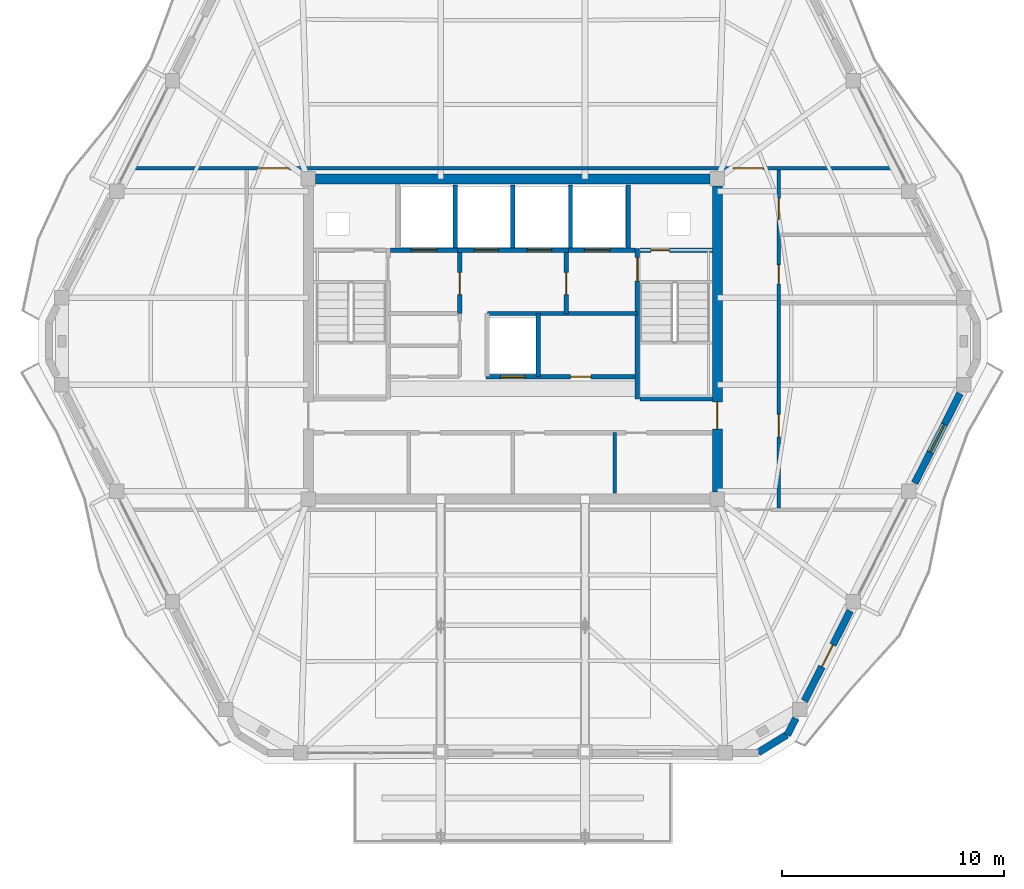
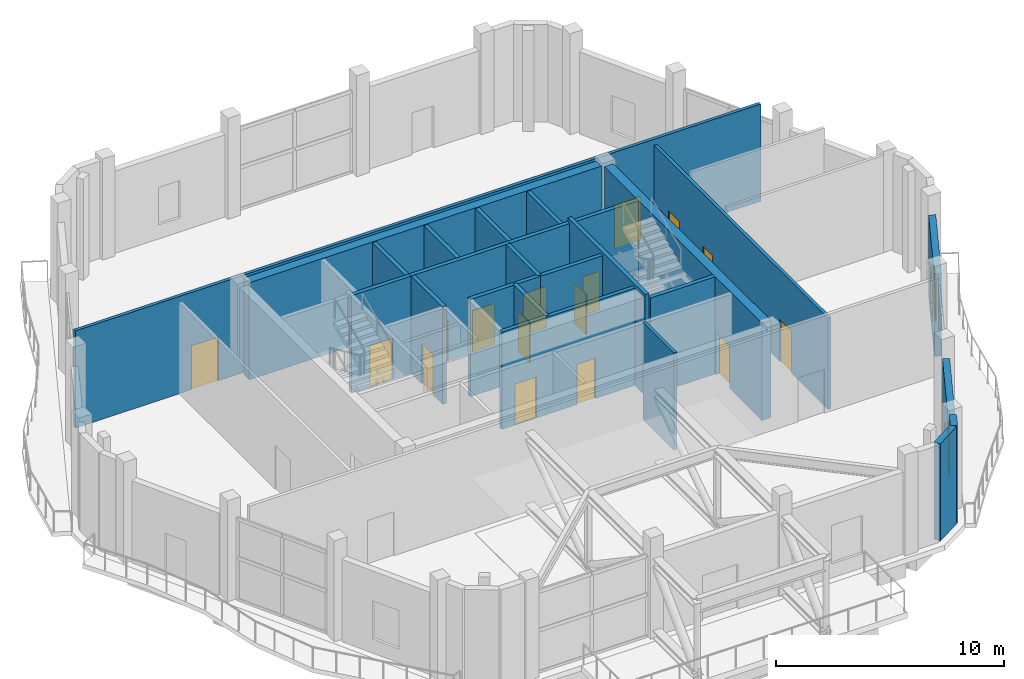
# One storey, part 19 of 23: 25 walls, 17 doors, 1 window, 18 openings.
"""IFC4 building model written with IfcOpenShell, lengths in metres."""

from ifc_helpers import new_model, si_unit, direction, frame, frame_2d, origin, place, context, subcontext, project, spatial, rectangle, extrude, material, layer, layer_set, type_object, element, fill, save


model = new_model("IFC4")

# Units and contexts
model_context = context("Model", 3, precision=1e-05, world=origin(), true_north=direction((0.0, 1.0)))
body_context = subcontext(model_context, "Body", "Model", "MODEL_VIEW")
ifc_project = project(units=[si_unit("LENGTHUNIT", "METRE"), si_unit("AREAUNIT", "SQUARE_METRE"), si_unit("VOLUMEUNIT", "CUBIC_METRE"), si_unit("PLANEANGLEUNIT", "RADIAN"), si_unit("MASSUNIT", "GRAM", prefix="KILO")], contexts=[model_context])

# Site, building, storey
site_placement = place(None, origin())
site = spatial("IfcSite", under=ifc_project, at=site_placement, CompositionType="ELEMENT")
building_placement = place(site_placement, origin())
building = spatial("IfcBuilding", under=site, at=building_placement, Name="Cinnabar Lancet Tower", CompositionType="ELEMENT")
storey_placement = place(building_placement, frame((0.0, 0.0, 278.10009765625)))
storey = spatial("IfcBuildingStorey", under=building, at=storey_placement, Name="L74", CompositionType="ELEMENT", Elevation=278.10009765625)

# Wall
ifc_material_1 = material(Name="Acoustic twin-stud gypsum partition", Category="gypsum")
ifc_layer_1 = layer(ifc_material_1, 0.159912109375)
ifc_layer_set_1 = layer_set([ifc_layer_1], Name="Acoustic twin-stud gypsum partition")
wall_type_1 = type_object("IfcWallType", Name="ARC-WL-CORR-160", PredefinedType="PARTITIONING", material=ifc_layer_set_1)
wall_1_placement = place(storey_placement, frame((37.0, 18.949951171875, 0.0), z_axis=(0.0, 0.0, 1.0), x_axis=(0.0, 1.0, 0.0)))
element("IfcWall", 1, at=wall_1_placement, inside=storey, type_object=wall_type_1, Name="CW-SB-3700-L74", PredefinedType="PARTITIONING", context=body_context, shape_type="SweptSolid", body=[
    extrude(rectangle(XDim=2.72998046875, YDim=0.159912109375, at=frame_2d((1.364990234375, 0.0))), origin(), (0.0, 0.0, 1.0), 5.199951171875),
])

# Wall, openings, doors
wall_2_placement = place(storey_placement, frame((44.39990234375, 18.284912109375, 0.0), z_axis=(0.0, 0.0, 1.0), x_axis=(0.0, 1.0, 0.0)))
wall_2 = element("IfcWall", 2, at=wall_2_placement, inside=storey, type_object=wall_type_1, Name="PW-L74-SPE", PredefinedType="PARTITIONING", context=body_context, shape_type="SweptSolid", body=[
    extrude(rectangle(XDim=15.22998046875, YDim=0.159912109375, at=frame_2d((7.614990234375, 0.0))), origin(), (0.0, 0.0, 1.0), 4.886962890625),
])
opening_1_placement = place(wall_2_placement, frame((3.199951171875, 0.0, 0.0)))
opening_1 = element("IfcOpeningElement", 3, at=opening_1_placement, cuts=wall_2, Name="Opening UD-01", PredefinedType="OPENING", context=body_context, shape_type="SweptSolid", body=[
    extrude(rectangle(XDim=1.02001953125, YDim=2.25, at=frame_2d((0.510009765625, 1.125))), frame((0.0, 0.08984375, 0.0), z_axis=(0.0, -1.0, 0.0), x_axis=(1.0, 0.0, 0.0)), (0.0, 0.0, 1.0), 0.179931640625),
])
opening_2_placement = place(wall_2_placement, frame((10.10009765625, 0.0, 0.0)))
opening_2 = element("IfcOpeningElement", 4, at=opening_2_placement, cuts=wall_2, Name="Opening BD-01", PredefinedType="OPENING", context=body_context, shape_type="SweptSolid", body=[
    extrude(rectangle(XDim=0.860107421875, YDim=2.10009765625, at=frame_2d((0.43017578125, 1.050048828125))), frame((0.0, 0.08984375, 0.0), z_axis=(0.0, -1.0, 0.0), x_axis=(1.0, 0.0, 0.0)), (0.0, 0.0, 1.0), 0.179931640625),
])
opening_3_placement = place(wall_2_placement, frame((13.0, 0.0, 0.0)))
opening_3 = element("IfcOpeningElement", 5, at=opening_3_placement, cuts=wall_2, Name="Opening BD-02", PredefinedType="OPENING", context=body_context, shape_type="SweptSolid", body=[
    extrude(rectangle(XDim=0.9599609375, YDim=2.14990234375, at=frame_2d((0.47998046875, 1.074951171875))), frame((0.0, 0.08984375, 0.0), z_axis=(0.0, -1.0, 0.0), x_axis=(1.0, 0.0, 0.0)), (0.0, 0.0, 1.0), 0.179931640625),
])
ifc_material_2 = material(Name="Accessible wide-leaf washroom door", Category="wood")
door_type_1 = type_object("IfcDoorType", Name="ARC-DR-ACCWC", OperationType="NOTDEFINED", PredefinedType="DOOR", material=ifc_material_2)
door_1_placement = place(opening_3_placement, origin())
door_1 = element("IfcDoor", 6, at=door_1_placement, inside=storey, type_object=door_type_1, Name="DR-L74-ACCWC", OperationType="SINGLE_SWING_RIGHT", OverallHeight=2.14990234375, OverallWidth=0.9599609375, PredefinedType="DOOR", context=body_context, shape_type="SweptSolid", body=[
    extrude(rectangle(XDim=0.9599609375, YDim=2.14990234375, at=frame_2d((0.47998046875, 1.074951171875))), frame((0.0, 0.02490234375, 0.0), z_axis=(0.0, -1.0, 0.0), x_axis=(1.0, 0.0, 0.0)), (0.0, 0.0, 1.0), 0.050048828125),
])
fill(opening_3, door_1)
ifc_material_3 = material(Name="Moisture-resistant timber bathroom door", Category="wood")
door_type_2 = type_object("IfcDoorType", Name="ARC-DR-BATH", OperationType="NOTDEFINED", PredefinedType="DOOR", material=ifc_material_3)
door_2_placement = place(opening_2_placement, origin())
door_2 = element("IfcDoor", 7, at=door_2_placement, inside=storey, type_object=door_type_2, Name="DR-L74-WC", OperationType="SINGLE_SWING_LEFT", OverallHeight=2.10009765625, OverallWidth=0.860107421875, PredefinedType="DOOR", context=body_context, shape_type="SweptSolid", body=[
    extrude(rectangle(XDim=0.860107421875, YDim=2.10009765625, at=frame_2d((0.43017578125, 1.050048828125))), frame((0.0, 0.02490234375, 0.0), z_axis=(0.0, -1.0, 0.0), x_axis=(1.0, 0.0, 0.0)), (0.0, 0.0, 1.0), 0.050048828125),
])
fill(opening_2, door_2)
ifc_material_4 = material(Name="Solid timber fire-rated apartment entrance door", Category="wood")
door_type_3 = type_object("IfcDoorType", Name="ARC-DR-UNIT", OperationType="NOTDEFINED", PredefinedType="DOOR", material=ifc_material_4)
door_3_placement = place(opening_1_placement, origin())
door_3 = element("IfcDoor", 8, at=door_3_placement, inside=storey, type_object=door_type_3, Name="DR-L74-CHNG", OperationType="SINGLE_SWING_RIGHT", OverallHeight=2.25, OverallWidth=1.02001953125, PredefinedType="DOOR", context=body_context, shape_type="SweptSolid", body=[
    extrude(rectangle(XDim=1.02001953125, YDim=2.25, at=frame_2d((0.510009765625, 1.125))), frame((0.0, 0.02490234375, 0.0), z_axis=(0.0, -1.0, 0.0), x_axis=(1.0, 0.0, 0.0)), (0.0, 0.0, 1.0), 0.050048828125),
])
fill(opening_1, door_3)

wall_3_placement = place(storey_placement, frame((15.0791015625, 33.60009765625, 0.0), z_axis=(0.0, 0.0, 1.0), x_axis=(1.0, 0.0, 0.0)))
wall_3 = element("IfcWall", 9, at=wall_3_placement, inside=storey, type_object=wall_type_1, Name="PW-L74-SPN", PredefinedType="PARTITIONING", context=body_context, shape_type="SweptSolid", body=[
    extrude(rectangle(XDim=34.641845703125, YDim=0.159912109375, at=frame_2d((17.32080078125, 0.0))), origin(), (0.0, 0.0, 1.0), 5.199951171875),
])
opening_4_placement = place(wall_3_placement, frame((5.87109375, 0.0, 0.0)))
opening_4 = element("IfcOpeningElement", 10, at=opening_4_placement, cuts=wall_3, Name="Opening UD-02", PredefinedType="OPENING", context=body_context, shape_type="SweptSolid", body=[
    extrude(rectangle(XDim=1.35009765625, YDim=2.35009765625, at=frame_2d((0.675048828125, 1.175048828125))), frame((0.0, 0.08984375, 0.0), z_axis=(0.0, -1.0, 0.0), x_axis=(1.0, 0.0, 0.0)), (0.0, 0.0, 1.0), 0.179931640625),
])
opening_5_placement = place(wall_3_placement, frame((27.27099609375, 0.0, 0.0)))
opening_5 = element("IfcOpeningElement", 11, at=opening_5_placement, cuts=wall_3, Name="Opening UD-02", PredefinedType="OPENING", context=body_context, shape_type="SweptSolid", body=[
    extrude(rectangle(XDim=1.35009765625, YDim=2.35009765625, at=frame_2d((0.675048828125, 1.175048828125))), frame((0.0, 0.08984375, 0.0), z_axis=(0.0, -1.0, 0.0), x_axis=(1.0, 0.0, 0.0)), (0.0, 0.0, 1.0), 0.179931640625),
])
ifc_material_5 = material(Name="Double-leaf solid timber penthouse entrance door", Category="wood")
door_type_4 = type_object("IfcDoorType", Name="ARC-DR-UNIT-PH", OperationType="NOTDEFINED", PredefinedType="DOOR", material=ifc_material_5)
door_4_placement = place(opening_4_placement, origin())
door_4 = element("IfcDoor", 12, at=door_4_placement, inside=storey, type_object=door_type_4, Name="DR-L74-LNG1", OperationType="SINGLE_SWING_LEFT", OverallHeight=2.35009765625, OverallWidth=1.35009765625, PredefinedType="DOOR", context=body_context, shape_type="SweptSolid", body=[
    extrude(rectangle(XDim=1.35009765625, YDim=2.35009765625, at=frame_2d((0.675048828125, 1.175048828125))), frame((0.0, 0.02490234375, 0.0), z_axis=(0.0, -1.0, 0.0), x_axis=(1.0, 0.0, 0.0)), (0.0, 0.0, 1.0), 0.050048828125),
])
fill(opening_4, door_4)
door_5_placement = place(opening_5_placement, origin())
door_5 = element("IfcDoor", 13, at=door_5_placement, inside=storey, type_object=door_type_4, Name="DR-L74-LNG2", OperationType="SINGLE_SWING_RIGHT", OverallHeight=2.35009765625, OverallWidth=1.35009765625, PredefinedType="DOOR", context=body_context, shape_type="SweptSolid", body=[
    extrude(rectangle(XDim=1.35009765625, YDim=2.35009765625, at=frame_2d((0.675048828125, 1.175048828125))), frame((0.0, 0.02490234375, 0.0), z_axis=(0.0, -1.0, 0.0), x_axis=(1.0, 0.0, 0.0)), (0.0, 0.0, 1.0), 0.050048828125),
])
fill(opening_5, door_5)

# Wall
ifc_material_6 = material(Name="Autoclaved aerated concrete blockwork", Category="masonry")
ifc_layer_2 = layer(ifc_material_6, 0.199951171875)
ifc_layer_set_2 = layer_set([ifc_layer_2], Name="Autoclaved aerated concrete blockwork")
wall_type_2 = type_object("IfcWallType", Name="ARC-WL-SHAFT-200", PredefinedType="PLUMBINGWALL", material=ifc_layer_set_2)
wall_4_placement = place(storey_placement, frame((38.125, 23.199951171875, 0.0), z_axis=(0.0, 0.0, 1.0), x_axis=(1.0, 0.0, 0.0)))
element("IfcWall", 14, at=wall_4_placement, inside=storey, type_object=wall_type_2, Name="CW-ST2S-L74", PredefinedType="PLUMBINGWALL", context=body_context, shape_type="SweptSolid", body=[
    extrude(rectangle(XDim=3.27001953125, YDim=0.199951171875, at=frame_2d((1.635009765625, 0.0))), origin(), (0.0, 0.0, 1.0), 5.199951171875),
])

# Wall, opening, door
wall_5_placement = place(storey_placement, frame((26.885009765625, 29.89990234375, 0.0), z_axis=(0.0, 0.0, 1.0), x_axis=(1.0, 0.0, 0.0)))
wall_5 = element("IfcWall", 15, at=wall_5_placement, inside=storey, type_object=wall_type_2, Name="CW-FL1-L74", PredefinedType="PLUMBINGWALL", context=body_context, shape_type="SweptSolid", body=[
    extrude(rectangle(XDim=3.014892578125, YDim=0.199951171875, at=frame_2d((1.50732421875, 0.0))), origin(), (0.0, 0.0, 1.0), 5.199951171875),
])
opening_6_placement = place(wall_5_placement, frame((0.93994140625, 0.0, 0.0)))
opening_6 = element("IfcOpeningElement", 16, at=opening_6_placement, cuts=wall_5, Name="Opening LD-02", PredefinedType="OPENING", context=body_context, shape_type="SweptSolid", body=[
    extrude(rectangle(XDim=1.14990234375, YDim=2.199951171875, at=frame_2d((0.574951171875, 1.10009765625))), frame((0.0, 0.10986328125, 0.0), z_axis=(0.0, -1.0, 0.0), x_axis=(1.0, 0.0, 0.0)), (0.0, 0.0, 1.0), 0.219970703125),
])
ifc_material_7 = material(Name="Fire-rated stainless steel firefighting lift landing door", Category="steel")
door_type_5 = type_object("IfcDoorType", Name="ARC-DR-LD-FIRE", OperationType="NOTDEFINED", PredefinedType="DOOR", material=ifc_material_7)
door_6_placement = place(opening_6_placement, origin())
door_6 = element("IfcDoor", 17, at=door_6_placement, inside=storey, type_object=door_type_5, Name="L74 Firefighting Lift FL-1 Landing Door", OperationType="DOUBLE_DOOR_SLIDING", OverallHeight=2.199951171875, OverallWidth=1.14990234375, PredefinedType="DOOR", context=body_context, shape_type="SweptSolid", body=[
    extrude(rectangle(XDim=1.14990234375, YDim=2.199951171875, at=frame_2d((0.574951171875, 1.10009765625))), frame((0.0, 0.02490234375, 0.0), z_axis=(0.0, -1.0, 0.0), x_axis=(1.0, 0.0, 0.0)), (0.0, 0.0, 1.0), 0.050048828125),
])
fill(opening_6, door_6)

# Wall, openings, doors
wall_6_placement = place(storey_placement, frame((29.89990234375, 29.89990234375, 0.0), z_axis=(0.0, 0.0, 1.0), x_axis=(1.0, 0.0, 0.0)))
wall_6 = element("IfcWall", 18, at=wall_6_placement, inside=storey, type_object=wall_type_2, Name="CW-PL78-L74", PredefinedType="PLUMBINGWALL", context=body_context, shape_type="SweptSolid", body=[
    extrude(rectangle(XDim=5.0, YDim=0.199951171875, at=frame_2d((2.5, 0.0))), origin(), (0.0, 0.0, 1.0), 5.199951171875),
])
opening_7_placement = place(wall_6_placement, frame((0.75, 0.0, 0.0)))
opening_7 = element("IfcOpeningElement", 19, at=opening_7_placement, cuts=wall_6, Name="Opening LD-01", PredefinedType="OPENING", context=body_context, shape_type="SweptSolid", body=[
    extrude(rectangle(XDim=1.10009765625, YDim=2.199951171875, at=frame_2d((0.550048828125, 1.10009765625))), frame((0.0, 0.10986328125, 0.0), z_axis=(0.0, -1.0, 0.0), x_axis=(1.0, 0.0, 0.0)), (0.0, 0.0, 1.0), 0.219970703125),
])
opening_8_placement = place(wall_6_placement, frame((3.14990234375, 0.0, 0.0)))
opening_8 = element("IfcOpeningElement", 20, at=opening_8_placement, cuts=wall_6, Name="Opening LD-01", PredefinedType="OPENING", context=body_context, shape_type="SweptSolid", body=[
    extrude(rectangle(XDim=1.10009765625, YDim=2.199951171875, at=frame_2d((0.550048828125, 1.10009765625))), frame((0.0, 0.10986328125, 0.0), z_axis=(0.0, -1.0, 0.0), x_axis=(1.0, 0.0, 0.0)), (0.0, 0.0, 1.0), 0.219970703125),
])
ifc_material_8 = material(Name="Brushed stainless steel sliding lift door", Category="steel")
door_type_6 = type_object("IfcDoorType", Name="ARC-DR-LD-PASS", OperationType="NOTDEFINED", PredefinedType="DOOR", material=ifc_material_8)
door_7_placement = place(opening_7_placement, origin())
door_7 = element("IfcDoor", 21, at=door_7_placement, inside=storey, type_object=door_type_6, Name="L74 Lift PL-7 Landing Door", OperationType="DOUBLE_DOOR_SLIDING", OverallHeight=2.199951171875, OverallWidth=1.10009765625, PredefinedType="DOOR", context=body_context, shape_type="SweptSolid", body=[
    extrude(rectangle(XDim=1.10009765625, YDim=2.199951171875, at=frame_2d((0.550048828125, 1.10009765625))), frame((0.0, 0.02490234375, 0.0), z_axis=(0.0, -1.0, 0.0), x_axis=(1.0, 0.0, 0.0)), (0.0, 0.0, 1.0), 0.050048828125),
])
fill(opening_7, door_7)
door_8_placement = place(opening_8_placement, origin())
door_8 = element("IfcDoor", 22, at=door_8_placement, inside=storey, type_object=door_type_6, Name="L74 Lift PL-8 Landing Door", OperationType="DOUBLE_DOOR_SLIDING", OverallHeight=2.199951171875, OverallWidth=1.10009765625, PredefinedType="DOOR", context=body_context, shape_type="SweptSolid", body=[
    extrude(rectangle(XDim=1.10009765625, YDim=2.199951171875, at=frame_2d((0.550048828125, 1.10009765625))), frame((0.0, 0.02490234375, 0.0), z_axis=(0.0, -1.0, 0.0), x_axis=(1.0, 0.0, 0.0)), (0.0, 0.0, 1.0), 0.050048828125),
])
fill(opening_8, door_8)

# Wall, opening, door
wall_7_placement = place(storey_placement, frame((34.89990234375, 29.89990234375, 0.0), z_axis=(0.0, 0.0, 1.0), x_axis=(1.0, 0.0, 0.0)))
wall_7 = element("IfcWall", 23, at=wall_7_placement, inside=storey, type_object=wall_type_2, Name="CW-FL2-L74", PredefinedType="PLUMBINGWALL", context=body_context, shape_type="SweptSolid", body=[
    extrude(rectangle(XDim=3.01513671875, YDim=0.199951171875, at=frame_2d((1.507568359375, 0.0))), origin(), (0.0, 0.0, 1.0), 5.199951171875),
])
opening_9_placement = place(wall_7_placement, frame((0.72509765625, 0.0, 0.0)))
opening_9 = element("IfcOpeningElement", 24, at=opening_9_placement, cuts=wall_7, Name="Opening LD-02", PredefinedType="OPENING", context=body_context, shape_type="SweptSolid", body=[
    extrude(rectangle(XDim=1.14990234375, YDim=2.199951171875, at=frame_2d((0.574951171875, 1.10009765625))), frame((0.0, 0.10986328125, 0.0), z_axis=(0.0, -1.0, 0.0), x_axis=(1.0, 0.0, 0.0)), (0.0, 0.0, 1.0), 0.219970703125),
])
door_9_placement = place(opening_9_placement, origin())
door_9 = element("IfcDoor", 25, at=door_9_placement, inside=storey, type_object=door_type_5, Name="L74 Firefighting Lift FL-2 Landing Door", OperationType="DOUBLE_DOOR_SLIDING", OverallHeight=2.199951171875, OverallWidth=1.14990234375, PredefinedType="DOOR", context=body_context, shape_type="SweptSolid", body=[
    extrude(rectangle(XDim=1.14990234375, YDim=2.199951171875, at=frame_2d((0.574951171875, 1.10009765625))), frame((0.0, 0.02490234375, 0.0), z_axis=(0.0, -1.0, 0.0), x_axis=(1.0, 0.0, 0.0)), (0.0, 0.0, 1.0), 0.050048828125),
])
fill(opening_9, door_9)

wall_8_placement = place(storey_placement, frame((38.125, 29.89990234375, 0.0), z_axis=(0.0, 0.0, 1.0), x_axis=(1.0, 0.0, 0.0)))
wall_8 = element("IfcWall", 26, at=wall_8_placement, inside=storey, type_object=wall_type_2, Name="CW-NSH-E-L74", PredefinedType="PLUMBINGWALL", context=body_context, shape_type="SweptSolid", body=[
    extrude(rectangle(XDim=3.27001953125, YDim=0.199951171875, at=frame_2d((1.635009765625, 0.0))), origin(), (0.0, 0.0, 1.0), 5.199951171875),
])
opening_10_placement = place(wall_8_placement, frame((0.5, 0.0, 0.0)))
opening_10 = element("IfcOpeningElement", 27, at=opening_10_placement, cuts=wall_8, Name="Opening PD-02", PredefinedType="OPENING", context=body_context, shape_type="SweptSolid", body=[
    extrude(rectangle(XDim=0.85009765625, YDim=2.050048828125, at=frame_2d((0.425048828125, 1.02490234375))), frame((0.0, 0.10986328125, 0.0), z_axis=(0.0, -1.0, 0.0), x_axis=(1.0, 0.0, 0.0)), (0.0, 0.0, 1.0), 0.219970703125),
])
ifc_material_9 = material(Name="Fire-rated steel riser access door", Category="steel")
door_type_7 = type_object("IfcDoorType", Name="ARC-DR-RISER", OperationType="NOTDEFINED", PredefinedType="DOOR", material=ifc_material_9)
door_10_placement = place(opening_10_placement, origin())
door_10 = element("IfcDoor", 28, at=door_10_placement, inside=storey, type_object=door_type_7, Name="L74 East Riser Access Door", OperationType="SINGLE_SWING_RIGHT", OverallHeight=2.050048828125, OverallWidth=0.85009765625, PredefinedType="DOOR", context=body_context, shape_type="SweptSolid", body=[
    extrude(rectangle(XDim=0.85009765625, YDim=2.050048828125, at=frame_2d((0.425048828125, 1.02490234375))), frame((0.0, 0.02490234375, 0.0), z_axis=(0.0, -1.0, 0.0), x_axis=(1.0, 0.0, 0.0)), (0.0, 0.0, 1.0), 0.050048828125),
])
fill(opening_10, door_10)

# Walls
for number, where, z_axis, x_axis, name in (
    (29, (29.800048828125, 30.0, 0.0), (0.0, 0.0, 1.0), (0.0, 1.0, 0.0), "CW-NSH-D2-L74"),
    (30, (32.39990234375, 30.0, 0.0), (0.0, 0.0, 1.0), (0.0, 1.0, 0.0), "CW-NSH-D3-L74"),
    (31, (35.0, 30.0, 0.0), (0.0, 0.0, 1.0), (0.0, 1.0, 0.0), "CW-NSH-D4-L74"),
    (32, (37.60009765625, 30.0, 0.0), (0.0, 0.0, 1.0), (0.0, 1.0, 0.0), "CW-NSH-D5-L74"),
):
    element("IfcWall", number, at=place(storey_placement, frame(where, z_axis=z_axis, x_axis=x_axis)), inside=storey, type_object=wall_type_2, Name=name, PredefinedType="PLUMBINGWALL", context=body_context, shape_type="SweptSolid", body=[
        extrude(rectangle(XDim=2.85009765625, YDim=0.199951171875, at=frame_2d((1.425048828125, 0.0))), origin(), (0.0, 0.0, 1.0), 5.199951171875),
    ])

# Wall, opening, door
wall_9_placement = place(storey_placement, frame((30.0, 27.050048828125, 0.0), z_axis=(0.0, 0.0, 1.0), x_axis=(0.0, 1.0, 0.0)))
wall_9 = element("IfcWall", 33, at=wall_9_placement, inside=storey, type_object=wall_type_2, Name="CW-FF1E-L74", PredefinedType="PLUMBINGWALL", context=body_context, shape_type="SweptSolid", body=[
    extrude(rectangle(XDim=2.75, YDim=0.199951171875, at=frame_2d((1.375, 0.0))), origin(), (0.0, 0.0, 1.0), 5.199951171875),
])
opening_11_placement = place(wall_9_placement, frame((0.85009765625, 0.0, 0.0)))
opening_11 = element("IfcOpeningElement", 34, at=opening_11_placement, cuts=wall_9, Name="Opening FD-01", PredefinedType="OPENING", context=body_context, shape_type="SweptSolid", body=[
    extrude(rectangle(XDim=1.0, YDim=2.14990234375, at=frame_2d((0.5, 1.074951171875))), frame((0.0, 0.10986328125, 0.0), z_axis=(0.0, -1.0, 0.0), x_axis=(1.0, 0.0, 0.0)), (0.0, 0.0, 1.0), 0.219970703125),
])
ifc_material_10 = material(Name="Fire-rated timber-core lobby door", Category="wood")
door_type_8 = type_object("IfcDoorType", Name="ARC-DR-FFAL", OperationType="NOTDEFINED", PredefinedType="DOOR", material=ifc_material_10)
door_11_placement = place(opening_11_placement, origin())
door_11 = element("IfcDoor", 35, at=door_11_placement, inside=storey, type_object=door_type_8, Name="L74 FFAL-1 Lobby Fire Door", OperationType="SINGLE_SWING_RIGHT", OverallHeight=2.14990234375, OverallWidth=1.0, PredefinedType="DOOR", context=body_context, shape_type="SweptSolid", body=[
    extrude(rectangle(XDim=1.0, YDim=2.14990234375, at=frame_2d((0.5, 1.074951171875))), frame((0.0, 0.02490234375, 0.0), z_axis=(0.0, -1.0, 0.0), x_axis=(1.0, 0.0, 0.0)), (0.0, 0.0, 1.0), 0.050048828125),
])
fill(opening_11, door_11)

wall_10_placement = place(storey_placement, frame((34.800048828125, 27.050048828125, 0.0), z_axis=(0.0, 0.0, 1.0), x_axis=(0.0, 1.0, 0.0)))
wall_10 = element("IfcWall", 36, at=wall_10_placement, inside=storey, type_object=wall_type_2, Name="CW-FF2W-L74", PredefinedType="PLUMBINGWALL", context=body_context, shape_type="SweptSolid", body=[
    extrude(rectangle(XDim=2.75, YDim=0.199951171875, at=frame_2d((1.375, 0.0))), origin(), (0.0, 0.0, 1.0), 5.199951171875),
])
opening_12_placement = place(wall_10_placement, frame((0.85009765625, 0.0, 0.0)))
opening_12 = element("IfcOpeningElement", 37, at=opening_12_placement, cuts=wall_10, Name="Opening FD-01", PredefinedType="OPENING", context=body_context, shape_type="SweptSolid", body=[
    extrude(rectangle(XDim=1.0, YDim=2.14990234375, at=frame_2d((0.5, 1.074951171875))), frame((0.0, 0.10986328125, 0.0), z_axis=(0.0, -1.0, 0.0), x_axis=(1.0, 0.0, 0.0)), (0.0, 0.0, 1.0), 0.219970703125),
])
door_12_placement = place(opening_12_placement, origin())
door_12 = element("IfcDoor", 38, at=door_12_placement, inside=storey, type_object=door_type_8, Name="L74 FFAL-2 Lobby Fire Door", OperationType="SINGLE_SWING_LEFT", OverallHeight=2.14990234375, OverallWidth=1.0, PredefinedType="DOOR", context=body_context, shape_type="SweptSolid", body=[
    extrude(rectangle(XDim=1.0, YDim=2.14990234375, at=frame_2d((0.5, 1.074951171875))), frame((0.0, 0.02490234375, 0.0), z_axis=(0.0, -1.0, 0.0), x_axis=(1.0, 0.0, 0.0)), (0.0, 0.0, 1.0), 0.050048828125),
])
fill(opening_12, door_12)

# Wall
wall_11_placement = place(storey_placement, frame((34.800048828125, 27.050048828125, 0.0), z_axis=(0.0, 0.0, 1.0), x_axis=(1.0, 0.0, 0.0)))
element("IfcWall", 39, at=wall_11_placement, inside=storey, type_object=wall_type_2, Name="CW-FF2S-L74", PredefinedType="PLUMBINGWALL", context=body_context, shape_type="SweptSolid", body=[
    extrude(rectangle(XDim=3.199951171875, YDim=0.199951171875, at=frame_2d((1.60009765625, 0.0))), origin(), (0.0, 0.0, 1.0), 5.199951171875),
])

# Wall, openings, doors
wall_12_placement = place(storey_placement, frame((31.199951171875, 24.199951171875, 0.0), z_axis=(0.0, 0.0, 1.0), x_axis=(1.0, 0.0, 0.0)))
wall_12 = element("IfcWall", 40, at=wall_12_placement, inside=storey, type_object=wall_type_2, Name="CW-PL96S-L74", PredefinedType="PLUMBINGWALL", context=body_context, shape_type="SweptSolid", body=[
    extrude(rectangle(XDim=6.800048828125, YDim=0.199951171875, at=frame_2d((3.39990234375, 0.0))), origin(), (0.0, 0.0, 1.0), 5.199951171875),
])
opening_13_placement = place(wall_12_placement, frame((0.64990234375, 0.0, 0.0)))
opening_13 = element("IfcOpeningElement", 41, at=opening_13_placement, cuts=wall_12, Name="Opening LD-01", PredefinedType="OPENING", context=body_context, shape_type="SweptSolid", body=[
    extrude(rectangle(XDim=1.10009765625, YDim=2.199951171875, at=frame_2d((0.550048828125, 1.10009765625))), frame((0.0, 0.10986328125, 0.0), z_axis=(0.0, -1.0, 0.0), x_axis=(1.0, 0.0, 0.0)), (0.0, 0.0, 1.0), 0.219970703125),
])
opening_14_placement = place(wall_12_placement, frame((3.800048828125, 0.0, 0.0)))
opening_14 = element("IfcOpeningElement", 42, at=opening_14_placement, cuts=wall_12, Name="Opening RD-01", PredefinedType="OPENING", context=body_context, shape_type="SweptSolid", body=[
    extrude(rectangle(XDim=0.919921875, YDim=2.14990234375, at=frame_2d((0.4599609375, 1.074951171875))), frame((0.0, 0.10986328125, 0.0), z_axis=(0.0, -1.0, 0.0), x_axis=(1.0, 0.0, 0.0)), (0.0, 0.0, 1.0), 0.219970703125),
])
door_13_placement = place(opening_13_placement, origin())
door_13 = element("IfcDoor", 43, at=door_13_placement, inside=storey, type_object=door_type_6, Name="L74 Lift PL-9 Landing Door", OperationType="DOUBLE_DOOR_SLIDING", OverallHeight=2.199951171875, OverallWidth=1.10009765625, PredefinedType="DOOR", context=body_context, shape_type="SweptSolid", body=[
    extrude(rectangle(XDim=1.10009765625, YDim=2.199951171875, at=frame_2d((0.550048828125, 1.10009765625))), frame((0.0, 0.02490234375, 0.0), z_axis=(0.0, -1.0, 0.0), x_axis=(1.0, 0.0, 0.0)), (0.0, 0.0, 1.0), 0.050048828125),
])
fill(opening_13, door_13)
ifc_material_11 = material(Name="Engineered timber bedroom door", Category="wood")
door_type_9 = type_object("IfcDoorType", Name="ARC-DR-ROOM", OperationType="NOTDEFINED", PredefinedType="DOOR", material=ifc_material_11)
door_14_placement = place(opening_14_placement, origin())
door_14 = element("IfcDoor", 44, at=door_14_placement, inside=storey, type_object=door_type_9, Name="DR-L74-REC6", OperationType="SINGLE_SWING_RIGHT", OverallHeight=2.14990234375, OverallWidth=0.919921875, PredefinedType="DOOR", context=body_context, shape_type="SweptSolid", body=[
    extrude(rectangle(XDim=0.919921875, YDim=2.14990234375, at=frame_2d((0.4599609375, 1.074951171875))), frame((0.0, 0.02490234375, 0.0), z_axis=(0.0, -1.0, 0.0), x_axis=(1.0, 0.0, 0.0)), (0.0, 0.0, 1.0), 0.050048828125),
])
fill(opening_14, door_14)

# Walls
wall_13_placement = place(storey_placement, frame((33.550048828125, 24.199951171875, 0.0), z_axis=(0.0, 0.0, 1.0), x_axis=(0.0, 1.0, 0.0)))
element("IfcWall", 45, at=wall_13_placement, inside=storey, type_object=wall_type_2, Name="CW-PL9E-L74", PredefinedType="PLUMBINGWALL", context=body_context, shape_type="SweptSolid", body=[
    extrude(rectangle(XDim=2.85009765625, YDim=0.199951171875, at=frame_2d((1.425048828125, 0.0))), origin(), (0.0, 0.0, 1.0), 5.199951171875),
])
wall_14_placement = place(storey_placement, frame((31.25, 27.050048828125, 0.0), z_axis=(0.0, 0.0, 1.0), x_axis=(1.0, 0.0, 0.0)))
element("IfcWall", 46, at=wall_14_placement, inside=storey, type_object=wall_type_2, Name="CW-PL96N-L74", PredefinedType="PLUMBINGWALL", context=body_context, shape_type="SweptSolid", body=[
    extrude(rectangle(XDim=3.550048828125, YDim=0.199951171875, at=frame_2d((1.77490234375, 0.0))), origin(), (0.0, 0.0, 1.0), 5.199951171875),
])
ifc_material_12 = material(Name="Warm buff clay brick", Category="masonry")
ifc_layer_3 = layer(ifc_material_12, 0.320068359375)
ifc_layer_set_3 = layer_set([ifc_layer_3], Name="Warm buff clay brick")
wall_type_3 = type_object("IfcWallType", Name="ENV-WL-BRK-BUF-320", PredefinedType="STANDARD", material=ifc_layer_set_3)
wall_15_placement = place(storey_placement, frame((43.467041015625, 7.25390625, 0.0), z_axis=(0.0, 0.0, 1.0), x_axis=(0.851813523106, 0.523845131555, 0.0)))
element("IfcWall", 47, at=wall_15_placement, inside=storey, type_object=wall_type_3, Name="L74 Chamfered Corner Brick Pier 2.1", PredefinedType="STANDARD", context=body_context, shape_type="SweptSolid", body=[
    extrude(rectangle(XDim=1.511962890625, YDim=0.320068359375, at=frame_2d((0.755859375, 0.0))), origin(), (0.0, 0.0, 1.0), 5.199951171875),
])
wall_16_placement = place(storey_placement, frame((44.77392578125, 8.031005859375, 0.0), z_axis=(0.0, 0.0, 1.0), x_axis=(0.451456201372, 0.892293280398, 0.0)))
element("IfcWall", 48, at=wall_16_placement, inside=storey, type_object=wall_type_3, Name="L74 Face 2 Masonry Bay Wall 1", PredefinedType="STANDARD", context=body_context, shape_type="SweptSolid", body=[
    extrude(rectangle(XDim=0.8505859375, YDim=0.320068359375, at=frame_2d((0.42529296875, 0.0))), origin(), (0.0, 0.0, 1.0), 5.199951171875),
])

# Wall, opening, door
wall_17_placement = place(storey_placement, frame((45.555908203125, 9.576904296875, 0.0), z_axis=(0.0, 0.0, 1.0), x_axis=(0.451428375981, 0.892307358122, 0.0)))
wall_17 = element("IfcWall", 49, at=wall_17_placement, inside=storey, type_object=wall_type_3, Name="L74 Face 2 Masonry Bay Wall 2", PredefinedType="STANDARD", context=body_context, shape_type="SweptSolid", body=[
    extrude(rectangle(XDim=4.55908203125, YDim=0.320068359375, at=frame_2d((2.279541015625, 0.0))), origin(), (0.0, 0.0, 1.0), 4.389892578125),
])
opening_15_placement = place(wall_17_placement, frame((1.72900390625, 0.0, 0.0)))
opening_15 = element("IfcOpeningElement", 50, at=opening_15_placement, cuts=wall_17, Name="Opening TD-01", PredefinedType="OPENING", context=body_context, shape_type="SweptSolid", body=[
    extrude(rectangle(XDim=1.10009765625, YDim=2.25, at=frame_2d((0.550048828125, 1.125))), frame((0.0, 0.169921875, 0.0), z_axis=(0.0, -1.0, 0.0), x_axis=(1.0, 0.0, 0.0)), (0.0, 0.0, 1.0), 0.340087890625),
])
ifc_material_13 = material(Name="Thermally broken low-E glazed balcony terrace door", Category="wood")
door_type_10 = type_object("IfcDoorType", Name="ARC-DR-BALC", OperationType="NOTDEFINED", PredefinedType="DOOR", material=ifc_material_13)
door_15_placement = place(opening_15_placement, origin())
door_15 = element("IfcDoor", 51, at=door_15_placement, inside=storey, type_object=door_type_10, Name="L74 Face 2 Glazed Terrace Door", OperationType="SINGLE_SWING_LEFT", OverallHeight=2.25, OverallWidth=1.10009765625, PredefinedType="DOOR", context=body_context, shape_type="SweptSolid", body=[
    extrude(rectangle(XDim=1.10009765625, YDim=2.25, at=frame_2d((0.550048828125, 1.125))), frame((0.0, 0.02490234375, 0.0), z_axis=(0.0, -1.0, 0.0), x_axis=(1.0, 0.0, 0.0)), (0.0, 0.0, 1.0), 0.050048828125),
])
fill(opening_15, door_15)

# Wall, opening, window
wall_18_placement = place(storey_placement, frame((50.52294921875, 19.39697265625, 0.0), z_axis=(0.0, 0.0, 1.0), x_axis=(0.451535871335, 0.892252966875, 0.0)))
wall_18 = element("IfcWall", 52, at=wall_18_placement, inside=storey, type_object=wall_type_3, Name="L74 Face 2 Masonry Bay Wall 4", PredefinedType="STANDARD", context=body_context, shape_type="SweptSolid", body=[
    extrude(rectangle(XDim=4.535888671875, YDim=0.320068359375, at=frame_2d((2.26806640625, 0.0))), origin(), (0.0, 0.0, 1.0), 4.389892578125),
])
opening_16_placement = place(wall_18_placement, frame((1.568115234375, 0.0, 0.75)))
opening_16 = element("IfcOpeningElement", 53, at=opening_16_placement, cuts=wall_18, Name="Opening WN-02", PredefinedType="OPENING", context=body_context, shape_type="SweptSolid", body=[
    extrude(rectangle(XDim=1.39990234375, YDim=2.050048828125, at=frame_2d((0.699951171875, 1.02490234375))), frame((0.0, 0.169921875, 0.0), z_axis=(0.0, -1.0, 0.0), x_axis=(1.0, 0.0, 0.0)), (0.0, 0.0, 1.0), 0.340087890625),
])
ifc_material_14 = material(Name="Thermally broken bronze-anodized aluminium low-E double glazing", Category="aluminium")
window_type = type_object("IfcWindowType", Name="ENV-WN-LANCET-1400", PartitioningType="SINGLE_PANEL", PredefinedType="WINDOW", material=ifc_material_14)
window_placement = place(opening_16_placement, origin())
window = element("IfcWindow", 54, at=window_placement, inside=storey, type_object=window_type, Name="L74 Face 2 Gothic Lancet Window 4", OverallHeight=2.050048828125, OverallWidth=1.39990234375, PartitioningType="SINGLE_PANEL", PredefinedType="WINDOW", context=body_context, shape_type="SweptSolid", body=[
    extrude(rectangle(XDim=1.39990234375, YDim=2.050048828125, at=frame_2d((0.699951171875, 1.02490234375))), frame((0.0, 0.030029296875, 0.0), z_axis=(0.0, -1.0, 0.0), x_axis=(1.0, 0.0, 0.0)), (0.0, 0.0, 1.0), 0.06005859375),
])
fill(opening_16, window)

# Wall
ifc_material_15 = material(Name="Concrete C50/60", Category="concrete")
ifc_layer_4 = layer(ifc_material_15, 0.449951171875)
ifc_layer_set_4 = layer_set([ifc_layer_4], Name="Concrete C50/60")
wall_type_4 = type_object("IfcWallType", Name="STR-WL-CORE-450", PredefinedType="SHEAR", material=ifc_layer_set_4)
wall_19_placement = place(storey_placement, frame((23.5, 33.125, 0.0), z_axis=(0.0, 0.0, 1.0), x_axis=(1.0, 0.0, 0.0)))
element("IfcWall", 55, at=wall_19_placement, inside=storey, type_object=wall_type_4, Name="L74 Core Shear Wall N", PredefinedType="SHEAR", context=body_context, shape_type="SweptSolid", body=[
    extrude(rectangle(XDim=17.800048828125, YDim=0.449951171875, at=frame_2d((8.89990234375, 0.0))), origin(), (0.0, 0.0, 1.0), 5.199951171875),
])

# Wall, opening, door
wall_20_placement = place(storey_placement, frame((41.625, 19.0, 0.0), z_axis=(0.0, 0.0, 1.0), x_axis=(0.0, 1.0, 0.0)))
wall_20 = element("IfcWall", 56, at=wall_20_placement, inside=storey, type_object=wall_type_4, Name="L74 Core Shear Wall E", PredefinedType="SHEAR", context=body_context, shape_type="SweptSolid", body=[
    extrude(rectangle(XDim=13.800048828125, YDim=0.449951171875, at=frame_2d((6.89990234375, 0.0))), origin(), (0.0, 0.0, 1.0), 5.199951171875),
])
opening_17_placement = place(wall_20_placement, frame((2.840087890625, 0.0, 0.0)))
opening_17 = element("IfcOpeningElement", 57, at=opening_17_placement, cuts=wall_20, Name="Opening FD-02", PredefinedType="OPENING", context=body_context, shape_type="SweptSolid", body=[
    extrude(rectangle(XDim=1.219970703125, YDim=2.25, at=frame_2d((0.60986328125, 1.125))), frame((0.0, 0.23486328125, 0.0), z_axis=(0.0, -1.0, 0.0), x_axis=(1.0, 0.0, 0.0)), (0.0, 0.0, 1.0), 0.469970703125),
])
ifc_material_16 = material(Name="Fire-rated double-vision core portal door", Category="wood")
door_type_11 = type_object("IfcDoorType", Name="ARC-DR-CPORT", OperationType="NOTDEFINED", PredefinedType="DOOR", material=ifc_material_16)
door_16_placement = place(opening_17_placement, origin())
door_16 = element("IfcDoor", 58, at=door_16_placement, inside=storey, type_object=door_type_11, Name="L74 East Core Lobby Fire Door", OperationType="SINGLE_SWING_LEFT", OverallHeight=2.25, OverallWidth=1.219970703125, PredefinedType="DOOR", context=body_context, shape_type="SweptSolid", body=[
    extrude(rectangle(XDim=1.219970703125, YDim=2.25, at=frame_2d((0.60986328125, 1.125))), frame((0.0, 0.02490234375, 0.0), z_axis=(0.0, -1.0, 0.0), x_axis=(1.0, 0.0, 0.0)), (0.0, 0.0, 1.0), 0.050048828125),
])
fill(opening_17, door_16)

ifc_material_17 = material(Name="Concrete C50/60", Category="concrete")
ifc_layer_5 = layer(ifc_material_17, 0.199951171875)
ifc_layer_set_5 = layer_set([ifc_layer_5], Name="Concrete C50/60")
wall_type_5 = type_object("IfcWallType", Name="STR-WL-STAIR-200", PredefinedType="SHEAR", material=ifc_layer_set_5)
wall_21_placement = place(storey_placement, frame((38.02001953125, 23.199951171875, 0.0), z_axis=(0.0, 0.0, 1.0), x_axis=(0.0, 1.0, 0.0)))
wall_21 = element("IfcWall", 59, at=wall_21_placement, inside=storey, type_object=wall_type_5, Name="L74 Stair ST-2 Structural Enclosure Wall", PredefinedType="SHEAR", context=body_context, shape_type="SweptSolid", body=[
    extrude(rectangle(XDim=6.780029296875, YDim=0.199951171875, at=frame_2d((3.39013671875, 0.0))), origin(), (0.0, 0.0, 1.0), 5.39990234375),
])
opening_18_placement = place(wall_21_placement, frame((5.320068359375, 0.0, 0.0)))
opening_18 = element("IfcOpeningElement", 60, at=opening_18_placement, cuts=wall_21, Name="Opening SD-01", PredefinedType="OPENING", context=body_context, shape_type="SweptSolid", body=[
    extrude(rectangle(XDim=1.050048828125, YDim=2.14990234375, at=frame_2d((0.52490234375, 1.074951171875))), frame((0.0, 0.10986328125, 0.0), z_axis=(0.0, -1.0, 0.0), x_axis=(1.0, 0.0, 0.0)), (0.0, 0.0, 1.0), 0.219970703125),
])
ifc_material_18 = material(Name="Fire-rated steel stair exit door", Category="steel")
door_type_12 = type_object("IfcDoorType", Name="ARC-DR-STAIR", OperationType="NOTDEFINED", PredefinedType="DOOR", material=ifc_material_18)
door_17_placement = place(opening_18_placement, origin())
door_17 = element("IfcDoor", 61, at=door_17_placement, inside=storey, type_object=door_type_12, Name="L74 Stair ST-2 Fire Door", OperationType="SINGLE_SWING_RIGHT", OverallHeight=2.14990234375, OverallWidth=1.050048828125, PredefinedType="DOOR", context=body_context, shape_type="SweptSolid", body=[
    extrude(rectangle(XDim=1.050048828125, YDim=2.14990234375, at=frame_2d((0.52490234375, 1.074951171875))), frame((0.0, 0.02490234375, 0.0), z_axis=(0.0, -1.0, 0.0), x_axis=(1.0, 0.0, 0.0)), (0.0, 0.0, 1.0), 0.050048828125),
])
fill(opening_18, door_17)

save(model, "model.ifc")
